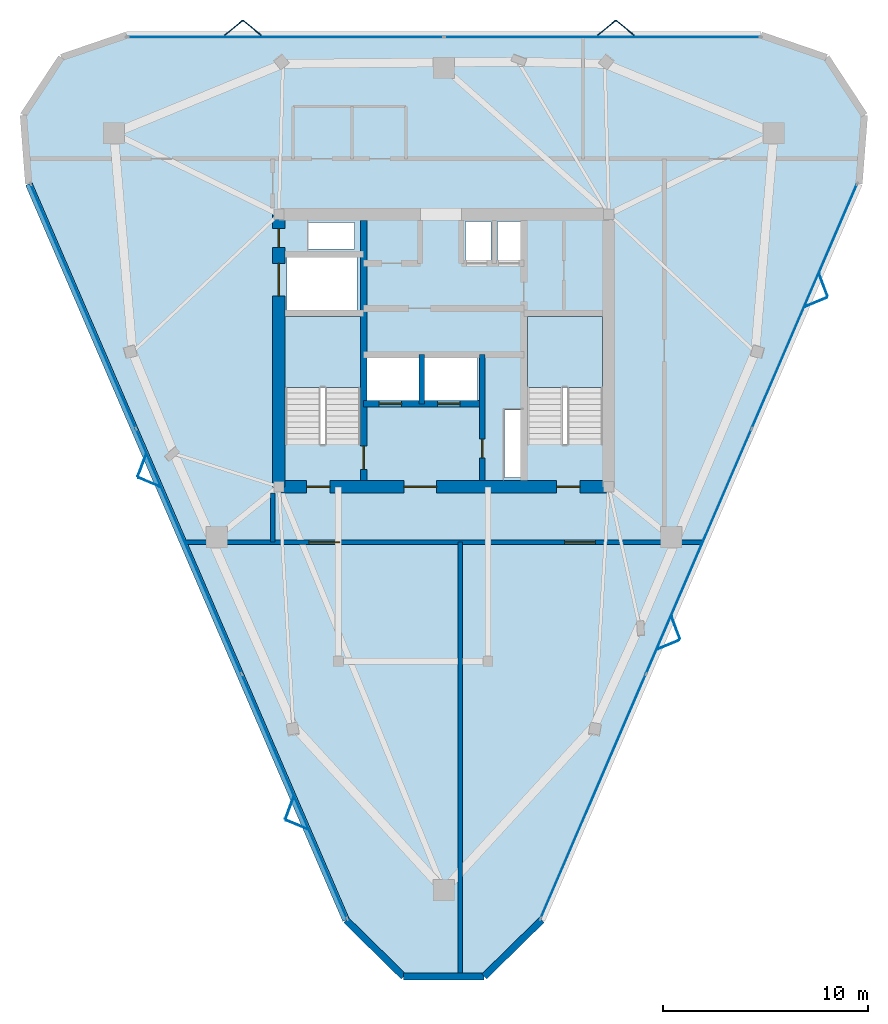
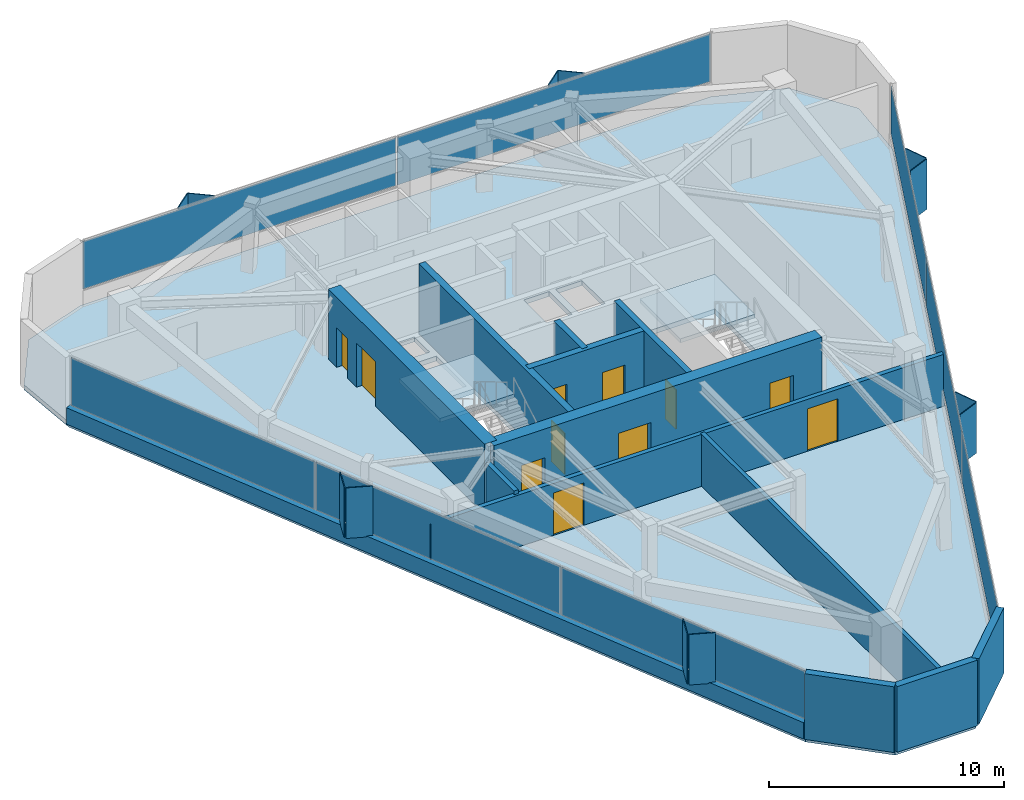
# One storey, part 6 of 9: 20 plates, 13 walls, 11 doors, 3 slabs, 11 openings, 5 elements without a shape of their own.
"""IFC4 building model written with IfcOpenShell, lengths in metres."""

import ifcopenshell
import ifcopenshell.guid

model = None  # the IFC model being written
_history = None  # IfcOwnerHistory: only IFC2X3 demands one
_inside = {}  # id of a spatial element -> (the spatial element, [elements in it])
_under = {}  # id of a project, library or spatial element -> (it, [spatial elements below it])
_declared = {}  # id of a project -> (the project, [libraries it declares])
_typed = {}  # id of a type object -> (the type object, [elements of that type])
_made_of = {}  # id of a material, layer set ... -> (it, [elements and type objects made of it])


def new_model(schema):
    """Start an empty IFC model of exactly this schema.

    Asked for "IFC4X3", IfcOpenShell would pick the latest addendum, in which some entities
    have other attributes; the version numbers below select the first issue.
    IFC2X3 requires an IfcOwnerHistory on every rooted entity: one is made here for all.
    """
    global model, _history
    if schema == "IFC4X3":
        model = ifcopenshell.file(schema_version=(4, 3, 0, 0))
    else:
        model = ifcopenshell.file(schema=schema)
    _inside.clear()
    _under.clear()
    _declared.clear()
    _typed.clear()
    _made_of.clear()
    _history = None
    if model.schema == "IFC2X3":
        org = make("IfcOrganization", Name="unknown")
        user = make(
            "IfcPersonAndOrganization",
            ThePerson=make("IfcPerson", FamilyName="unknown"),
            TheOrganization=org,
        )
        app = make(
            "IfcApplication",
            ApplicationDeveloper=org,
            Version="unknown",
            ApplicationFullName="unknown",
            ApplicationIdentifier="unknown",
        )
        _history = make(
            "IfcOwnerHistory",
            OwningUser=user,
            OwningApplication=app,
            ChangeAction="ADDED",
            CreationDate=0,
        )
    return model


def make(cls, **values):
    """One entity of the class cls with the attributes given. An attribute that is None is left unset."""
    return model.create_entity(
        cls, **{name: value for name, value in values.items() if value is not None}
    )


def rooted(cls, **values):
    """An entity with a GlobalId (a new one), such as an element, a storey or a relation."""
    return make(cls, GlobalId=ifcopenshell.guid.new(), OwnerHistory=_history, **values)


def si_unit(unit_type, name, prefix=None):
    """IfcSIUnit, for example si_unit("LENGTHUNIT", "METRE", prefix="MILLI")."""
    return make("IfcSIUnit", UnitType=unit_type, Prefix=prefix, Name=name)


def assignment(units):
    """IfcUnitAssignment: the units of a project."""
    return None if units is None else make("IfcUnitAssignment", Units=units)


def point(xyz):
    """IfcCartesianPoint."""
    return None if xyz is None else make("IfcCartesianPoint", Coordinates=xyz)


def direction(xyz):
    """IfcDirection."""
    return None if xyz is None else make("IfcDirection", DirectionRatios=xyz)


def frame(location, z_axis=None, x_axis=None):
    """IfcAxis2Placement3D, a coordinate frame: its origin and axes. An axis left out is left unset."""
    return make(
        "IfcAxis2Placement3D",
        Location=point(location),
        Axis=direction(z_axis),
        RefDirection=direction(x_axis),
    )


def frame_2d(location, x_axis=None):
    """IfcAxis2Placement2D, a coordinate frame in the plane: its origin and x axis."""
    return make(
        "IfcAxis2Placement2D", Location=point(location), RefDirection=direction(x_axis)
    )


def origin():
    """The frame at (0, 0, 0) with its axes left unset."""
    return frame((0.0, 0.0, 0.0))


def origin_2d():
    """The frame at (0, 0) in the plane with its x axis left unset."""
    return frame_2d((0.0, 0.0))


def place(relative_to, where):
    """IfcLocalPlacement: puts the frame where relative to a parent placement (None: the world)."""
    return make(
        "IfcLocalPlacement", PlacementRelTo=relative_to, RelativePlacement=where
    )


def context(
    kind, dimensions, precision=None, world=None, true_north=None, identifier=None
):
    """IfcGeometricRepresentationContext, for example the 3D "Model" context."""
    return make(
        "IfcGeometricRepresentationContext",
        ContextIdentifier=identifier,
        ContextType=kind,
        CoordinateSpaceDimension=dimensions,
        Precision=precision,
        WorldCoordinateSystem=world,
        TrueNorth=true_north,
    )


def subcontext(parent, identifier, kind, view, scale=None):
    """IfcGeometricRepresentationSubContext, for example "Body" below "Model"."""
    return make(
        "IfcGeometricRepresentationSubContext",
        ContextIdentifier=identifier,
        ContextType=kind,
        ParentContext=parent,
        TargetScale=scale,
        TargetView=view,
    )


def project(units=None, contexts=None):
    """IfcProject with its units and contexts."""
    return rooted(
        "IfcProject",
        Name="project",
        RepresentationContexts=contexts,
        UnitsInContext=assignment(units),
    )


def spatial(cls, under=None, at=None, **own):
    """A site, building, storey or space (cls), placed at a placement, below another one or the project."""
    s = rooted(cls, ObjectPlacement=at, **own)
    if under is not None:
        _under.setdefault(under.id(), (under, []))[1].append(s)
    return s


def polyline(points):
    """IfcPolyline through the points."""
    return make("IfcPolyline", Points=[point(p) for p in points])


def profile(cls, at=None, kind="AREA", **sizes):
    """A parametric profile (cls). Its sizes go by their IFC names, for example OverallWidth=200.0."""
    return make(cls, ProfileType=kind, Position=at, **sizes)


def rectangle(**sizes):
    """IfcRectangleProfileDef."""
    return profile("IfcRectangleProfileDef", **sizes)


def outline(outer, holes=None, kind="AREA"):
    """IfcArbitraryClosedProfileDef: a profile drawn as a closed curve; with holes, ...WithVoids."""
    if holes is None:
        return make("IfcArbitraryClosedProfileDef", ProfileType=kind, OuterCurve=outer)
    return make(
        "IfcArbitraryProfileDefWithVoids",
        ProfileType=kind,
        OuterCurve=outer,
        InnerCurves=holes,
    )


def extrude(swept, where, along, depth):
    """IfcExtrudedAreaSolid: the profile swept, set in the frame where, extruded along a direction by depth."""
    return make(
        "IfcExtrudedAreaSolid",
        SweptArea=swept,
        Position=where,
        ExtrudedDirection=direction(along),
        Depth=depth,
    )


def shape(context_of_items, identifier, shape_type, items):
    """IfcShapeRepresentation: the items that make up one representation, for example the "Body"."""
    return make(
        "IfcShapeRepresentation",
        ContextOfItems=context_of_items,
        RepresentationIdentifier=identifier,
        RepresentationType=shape_type,
        Items=items,
    )


def material(Name=None, Category=None):
    """IfcMaterial."""
    return make("IfcMaterial", Name=Name, Category=Category)


def layer(
    of_material, thickness, ventilated=None, Name=None, Category=None, Priority=None
):
    """IfcMaterialLayer: one layer of a wall or slab, of a material (None: an air gap)."""
    return make(
        "IfcMaterialLayer",
        Material=of_material,
        LayerThickness=thickness,
        IsVentilated=ventilated,
        Name=Name,
        Category=Category,
        Priority=Priority,
    )


def layer_set(layers, Name=None):
    """IfcMaterialLayerSet."""
    return make("IfcMaterialLayerSet", MaterialLayers=layers, LayerSetName=Name)


def made_of(thing, what):
    """Note that an element or type object is made of a material, layer set ...; save() writes the relation."""
    if what is not None:
        _made_of.setdefault(what.id(), (what, []))[1].append(thing)
    return thing


def type_object(cls, material=None, **own):
    """A type object (cls), such as IfcWallType, which elements share."""
    return made_of(rooted(cls, **own), material)


def element(
    cls,
    number,
    at=None,
    inside=None,
    cuts=None,
    type_object=None,
    material=None,
    context=None,
    identifier="Body",
    shape_type=None,
    held_by="IfcProductDefinitionShape",
    body=None,
    shapes=None,
    **own,
):
    """One element of the class cls, such as IfcWall. Its Tag is "e" and its number.

    at: its placement. inside: the storey or other place that contains it. cuts: it is an
    opening in that element (IfcRelVoidsElement). A single representation is given by context,
    identifier, shape_type and body (its items); several are given by shapes. held_by: the class
    of the entity that holds the representations. save() writes the other relations.
    """
    e = rooted(cls, Tag="e%d" % number, ObjectPlacement=at, **own)
    if body is not None:
        shapes = [shape(context, identifier, shape_type, body)]
    if shapes is not None:
        e.Representation = make(held_by, Representations=shapes)
    if inside is not None:
        _inside.setdefault(inside.id(), (inside, []))[1].append(e)
    if cuts is not None:
        rooted(
            "IfcRelVoidsElement", RelatingBuildingElement=cuts, RelatedOpeningElement=e
        )
    if type_object is not None:
        _typed.setdefault(type_object.id(), (type_object, []))[1].append(e)
    return made_of(e, material)


def fill(opening, filler):
    """IfcRelFillsElement: the door or window that sits in an opening."""
    return rooted(
        "IfcRelFillsElement",
        RelatingOpeningElement=opening,
        RelatedBuildingElement=filler,
    )


def aggregate(whole, parts):
    """IfcRelAggregates: a whole, such as a stair, and the parts it consists of."""
    return rooted("IfcRelAggregates", RelatingObject=whole, RelatedObjects=parts)


def save(model, path):
    """Write the relations noted so far, then the file.

    IfcRelAggregates (storeys below a building ...), IfcRelContainedInSpatialStructure (elements
    in a storey), IfcRelDefinesByType, IfcRelAssociatesMaterial and IfcRelDeclares: one each for
    every whole, place, type object, material and project.
    """
    for whole, parts in _under.values():
        aggregate(whole, parts)
    for where, things in _inside.values():
        rooted(
            "IfcRelContainedInSpatialStructure",
            RelatedElements=things,
            RelatingStructure=where,
        )
    for kind, things in _typed.values():
        rooted("IfcRelDefinesByType", RelatedObjects=things, RelatingType=kind)
    for what, things in _made_of.values():
        rooted("IfcRelAssociatesMaterial", RelatedObjects=things, RelatingMaterial=what)
    for by, libraries in _declared.values():
        rooted("IfcRelDeclares", RelatingContext=by, RelatedDefinitions=libraries)
    model.write(path)


model = new_model("IFC4")

# Units and contexts
model_context = context("Model", 3, precision=1e-05, world=origin(), true_north=direction((0.0, 1.0)))
body_context = subcontext(model_context, "Body", "Model", "MODEL_VIEW")
ifc_project = project(units=[si_unit("LENGTHUNIT", "METRE"), si_unit("AREAUNIT", "SQUARE_METRE"), si_unit("VOLUMEUNIT", "CUBIC_METRE"), si_unit("PLANEANGLEUNIT", "RADIAN"), si_unit("MASSUNIT", "GRAM", prefix="KILO")], contexts=[model_context])

# Site, building, storey
site_placement = place(None, origin())
site = spatial("IfcSite", under=ifc_project, at=site_placement, CompositionType="ELEMENT")
building_placement = place(site_placement, origin())
building = spatial("IfcBuilding", under=site, at=building_placement, Name="Talyreon Biosciences Tower", CompositionType="ELEMENT")
storey_placement = place(building_placement, frame((0.0, 0.0, 309.35009765625)))
storey = spatial("IfcBuildingStorey", under=building, at=storey_placement, Name="L82", CompositionType="ELEMENT", Elevation=309.35009765625)

# Curtain wall, plates
ifc_material_1 = material(Name="Thermally broken aluminium and low-E glazing", Category="aluminium")
ifc_layer_1 = layer(ifc_material_1, 0.175048828125)
ifc_layer_set_1 = layer_set([ifc_layer_1], Name="Thermally broken aluminium and low-E glazing")
curtain_wall_type = type_object("IfcCurtainWallType", Name="CurtainWall_Zone5CompLab", PredefinedType="NOTDEFINED", material=ifc_layer_set_1)
curtain_wall_1_placement = place(storey_placement, origin())
curtain_wall_1 = element("IfcCurtainWall", 1, at=curtain_wall_1_placement, inside=storey, type_object=curtain_wall_type, Name="L82 Unitised Curtain Wall FCW-L82-00", PredefinedType="NOTDEFINED")
ifc_material_2 = material(Name="Triple-silver low-E insulated glazing", Category="glass")
ifc_layer_2 = layer(ifc_material_2, 0.031982421875)
ifc_layer_set_2 = layer_set([ifc_layer_2], Name="Triple-silver low-E insulated glazing")
plate_type_1 = type_object("IfcPlateType", Name="CWGlazingPanel_32", PredefinedType="CURTAIN_PANEL", material=ifc_layer_set_2)
plate_1_placement = place(storey_placement, frame((58.712158203125, 46.241943359375, 0.874755859375), z_axis=(0.0, 0.0, 1.0), x_axis=(-0.395738333444, 0.918363311246, 0.0)))
plate_1 = element("IfcPlate", 2, at=plate_1_placement, type_object=plate_type_1, Name="CW6 panel 1.1", PredefinedType="CURTAIN_PANEL", context=body_context, shape_type="SweptSolid", body=[
    extrude(rectangle(XDim=12.938720703125, YDim=0.031982421875, at=origin_2d()), origin(), (0.0, 0.0, 1.0), 2.47509765625),
])
plate_2_placement = place(storey_placement, frame((53.5595703125, 58.19921875, 0.874755859375), z_axis=(0.0, 0.0, 1.0), x_axis=(-0.395738333444, 0.918363311246, 0.0)))
plate_2 = element("IfcPlate", 3, at=plate_2_placement, type_object=plate_type_1, Name="CW6 panel 2.1", PredefinedType="CURTAIN_PANEL", context=body_context, shape_type="SweptSolid", body=[
    extrude(rectangle(XDim=12.97119140625, YDim=0.031982421875, at=origin_2d()), origin(), (0.0, 0.0, 1.0), 2.47509765625),
])
plate_3_placement = place(storey_placement, frame((48.406982421875, 70.15625, 0.874755859375), z_axis=(0.0, 0.0, 1.0), x_axis=(-0.395738333444, 0.918363311246, 0.0)))
plate_3 = element("IfcPlate", 4, at=plate_3_placement, type_object=plate_type_1, Name="CW6 panel 3.1", PredefinedType="CURTAIN_PANEL", context=body_context, shape_type="SweptSolid", body=[
    extrude(rectangle(XDim=12.938720703125, YDim=0.031982421875, at=origin_2d()), origin(), (0.0, 0.0, 1.0), 2.47509765625),
])
aggregate(curtain_wall_1, [plate_1, plate_2, plate_3])

curtain_wall_2_placement = place(storey_placement, origin())
curtain_wall_2 = element("IfcCurtainWall", 5, at=curtain_wall_2_placement, inside=storey, type_object=curtain_wall_type, Name="L82 Unitised Curtain Wall FCW-L82-04", PredefinedType="NOTDEFINED")
plate_4_placement = place(storey_placement, frame((58.27783203125, 83.303466796875, 0.874755859375), z_axis=(0.0, 0.0, 1.0), x_axis=(1.0, 0.0, 0.0)))
plate_4 = element("IfcPlate", 6, at=plate_4_placement, type_object=plate_type_1, Name="CW6 panel 1.1", PredefinedType="CURTAIN_PANEL", context=body_context, shape_type="SweptSolid", body=[
    extrude(rectangle(XDim=15.37939453125, YDim=0.031982421875, at=origin_2d()), origin(), (0.0, 0.0, 1.0), 2.47509765625),
])
plate_5_placement = place(storey_placement, frame((73.72216796875, 83.303466796875, 0.874755859375), z_axis=(0.0, 0.0, 1.0), x_axis=(1.0, 0.0, 0.0)))
plate_5 = element("IfcPlate", 7, at=plate_5_placement, type_object=plate_type_1, Name="CW6 panel 2.1", PredefinedType="CURTAIN_PANEL", context=body_context, shape_type="SweptSolid", body=[
    extrude(rectangle(XDim=15.37939453125, YDim=0.031982421875, at=origin_2d()), origin(), (0.0, 0.0, 1.0), 2.47509765625),
])
aggregate(curtain_wall_2, [plate_4, plate_5])

curtain_wall_3_placement = place(storey_placement, origin())
curtain_wall_3 = element("IfcCurtainWall", 8, at=curtain_wall_3_placement, inside=storey, type_object=curtain_wall_type, Name="L82 Unitised Curtain Wall FCW-L82-08", PredefinedType="NOTDEFINED")
plate_6_placement = place(storey_placement, frame((83.593017578125, 70.15625, 0.874755859375), z_axis=(0.0, 0.0, 1.0), x_axis=(-0.395738333444, -0.918363311246, 0.0)))
plate_6 = element("IfcPlate", 9, at=plate_6_placement, type_object=plate_type_1, Name="CW6 panel 1.1", PredefinedType="CURTAIN_PANEL", context=body_context, shape_type="SweptSolid", body=[
    extrude(rectangle(XDim=12.938720703125, YDim=0.031982421875, at=origin_2d()), origin(), (0.0, 0.0, 1.0), 2.47509765625),
])
plate_7_placement = place(storey_placement, frame((78.4404296875, 58.19921875, 0.874755859375), z_axis=(0.0, 0.0, 1.0), x_axis=(-0.395738333444, -0.918363311246, 0.0)))
plate_7 = element("IfcPlate", 10, at=plate_7_placement, type_object=plate_type_1, Name="CW6 panel 2.1", PredefinedType="CURTAIN_PANEL", context=body_context, shape_type="SweptSolid", body=[
    extrude(rectangle(XDim=12.97119140625, YDim=0.031982421875, at=origin_2d()), origin(), (0.0, 0.0, 1.0), 2.47509765625),
])
plate_8_placement = place(storey_placement, frame((73.287841796875, 46.241943359375, 0.874755859375), z_axis=(0.0, 0.0, 1.0), x_axis=(-0.395738333444, -0.918363311246, 0.0)))
plate_8 = element("IfcPlate", 11, at=plate_8_placement, type_object=plate_type_1, Name="CW6 panel 3.1", PredefinedType="CURTAIN_PANEL", context=body_context, shape_type="SweptSolid", body=[
    extrude(rectangle(XDim=12.938720703125, YDim=0.031982421875, at=origin_2d()), origin(), (0.0, 0.0, 1.0), 2.47509765625),
])
aggregate(curtain_wall_3, [plate_6, plate_7, plate_8])

# Slab
ifc_material_3 = material(Name="Concrete C40/50", Category="concrete")
ifc_layer_3 = layer(ifc_material_3, 0.25)
ifc_layer_set_3 = layer_set([ifc_layer_3], Name="Concrete C40/50")
slab_type_1 = type_object("IfcSlabType", Name="DryLabFloorSlab_250", PredefinedType="FLOOR", material=ifc_layer_set_3)
slab_1_placement = place(storey_placement, frame((0.0, 0.0, -0.25)))
element("IfcSlab", 12, at=slab_1_placement, inside=storey, type_object=slab_type_1, Name="L82 Structural Floor Slab", PredefinedType="FLOOR", context=body_context, shape_type="SweptSolid", body=[
    extrude(outline(polyline([(61.224609375, 40.20947265625), (45.74755859375, 76.12548828125), (45.48779296875, 79.481689453125), (47.338134765625, 82.2939453125), (50.523193359375, 83.38330078125), (81.476806640625, 83.38330078125), (84.661865234375, 82.2939453125), (86.51220703125, 79.481689453125), (86.25244140625, 76.12548828125), (70.775390625, 40.20947265625), (67.96728515625, 37.45361328125), (64.03271484375, 37.45361328125), (61.224609375, 40.20947265625)]), holes=[polyline([(69.820068359375, 65.10009765625), (69.820068359375, 61.800048828125), (68.9599609375, 61.800048828125), (68.9599609375, 65.10009765625), (69.820068359375, 65.10009765625)]), polyline([(61.929931640625, 69.64990234375), (61.929931640625, 63.407958984375), (58.25, 63.407958984375), (58.25, 69.64990234375), (61.929931640625, 69.64990234375)]), polyline([(73.75, 69.64990234375), (73.75, 63.407958984375), (70.070068359375, 63.407958984375), (70.070068359375, 69.64990234375), (73.75, 69.64990234375)]), polyline([(64.800048828125, 67.64990234375), (64.800048828125, 65.550048828125), (62.199951171875, 65.550048828125), (62.199951171875, 67.64990234375), (64.800048828125, 67.64990234375)]), polyline([(67.64990234375, 67.64990234375), (67.64990234375, 65.550048828125), (65.050048828125, 65.550048828125), (65.050048828125, 67.64990234375), (67.64990234375, 67.64990234375)]), polyline([(61.75, 72.550048828125), (61.75, 69.97998046875), (58.35009765625, 69.97998046875), (58.35009765625, 72.550048828125), (61.75, 72.550048828125)]), polyline([(68.300048828125, 74.300048828125), (68.300048828125, 72.35009765625), (67.050048828125, 72.35009765625), (67.050048828125, 74.300048828125), (68.300048828125, 74.300048828125)]), polyline([(69.919921875, 72.35009765625), (68.6201171875, 72.35009765625), (68.6201171875, 74.300048828125), (69.919921875, 74.300048828125), (69.919921875, 72.35009765625)]), polyline([(61.64990234375, 72.9599609375), (59.39990234375, 72.9599609375), (59.39990234375, 74.25), (61.64990234375, 74.25), (61.64990234375, 72.9599609375)])]), origin(), (0.0, 0.0, 1.0), 0.25),
])

# Plates
ifc_material_4 = material(Name="Ivory GFRC sunshade panel", Category="concrete")
ifc_layer_4 = layer(ifc_material_4, 0.044921875)
ifc_layer_set_4 = layer_set([ifc_layer_4], Name="Ivory GFRC sunshade panel")
plate_type_2 = type_object("IfcPlateType", Name="FoldedVSunshade_NorthFace_SUNSHADE", PredefinedType="USERDEFINED", material=ifc_layer_set_4)
for number, where, z_axis, x_axis, name in (
    (13, (55.7431640625, 83.743408203125, 0.789794921875), (0.0, 0.0, 1.0), (0.771624583388, 0.636078220278, 0.0), "L82 Folded V-Sunshade Panel 04.01L"),
    (14, (56.64306640625, 83.743408203125, 0.789794921875), (0.0, 0.0, 1.0), (0.771624583388, -0.636078220278, 0.0), "L82 Folded V-Sunshade Panel 04.01R"),
    (15, (73.943115234375, 83.743408203125, 0.789794921875), (0.0, 0.0, 1.0), (0.771624583388, 0.636078220278, 0.0), "L82 Folded V-Sunshade Panel 04.02L"),
    (16, (74.843017578125, 83.743408203125, 0.789794921875), (0.0, 0.0, 1.0), (0.771624583388, -0.636078220278, 0.0), "L82 Folded V-Sunshade Panel 04.02R"),
):
    element("IfcPlate", number, at=place(storey_placement, frame(where, z_axis=z_axis, x_axis=x_axis)), inside=storey, type_object=plate_type_2, Name=name, ObjectType="SUNSHADE", PredefinedType="USERDEFINED", context=body_context, shape_type="SweptSolid", body=[
        extrude(rectangle(XDim=1.14990234375, YDim=0.044921875, at=origin_2d()), origin(), (0.0, 0.0, 1.0), 2.625),
    ])
ifc_layer_5 = layer(ifc_material_4, 0.044921875)
ifc_layer_set_5 = layer_set([ifc_layer_5], Name="Ivory GFRC sunshade panel")
plate_type_3 = type_object("IfcPlateType", Name="FoldedVSunshade_SunFace_SUNSHADE", PredefinedType="USERDEFINED", material=ifc_layer_set_5)
for number, where, z_axis, x_axis, name in (
    (17, (58.828125, 44.86083984375, 0.789794921875), (0.0, 0.0, 1.0), (-0.922618893195, 0.385712817936, 0.0), "L82 Folded V-Sunshade Panel 00.01L"),
    (18, (58.471923828125, 45.687255859375, 0.789794921875), (0.0, 0.0, 1.0), (0.353278917088, 0.935518041911, 0.0), "L82 Folded V-Sunshade Panel 00.01R"),
    (19, (51.625732421875, 61.574951171875, 0.789794921875), (0.0, 0.0, 1.0), (-0.922618893195, 0.385712817936, 0.0), "L82 Folded V-Sunshade Panel 00.02L"),
    (20, (51.26953125, 62.401611328125, 0.789794921875), (0.0, 0.0, 1.0), (0.353278917088, 0.935518041911, 0.0), "L82 Folded V-Sunshade Panel 00.02R"),
    (21, (84.517333984375, 71.189208984375, 0.789794921875), (0.0, 0.0, 1.0), (0.353278917088, -0.935518041911, 0.0), "L82 Folded V-Sunshade Panel 08.01L"),
    (22, (84.1611328125, 70.36279296875, 0.789794921875), (0.0, 0.0, 1.0), (-0.922618893195, -0.385712817936, 0.0), "L82 Folded V-Sunshade Panel 08.01R"),
    (23, (77.314697265625, 54.47509765625, 0.789794921875), (0.0, 0.0, 1.0), (0.353278917088, -0.935518041911, 0.0), "L82 Folded V-Sunshade Panel 08.02L"),
    (24, (76.958740234375, 53.6484375, 0.789794921875), (0.0, 0.0, 1.0), (-0.922618893195, -0.385712817936, 0.0), "L82 Folded V-Sunshade Panel 08.02R"),
):
    element("IfcPlate", number, at=place(storey_placement, frame(where, z_axis=z_axis, x_axis=x_axis)), inside=storey, type_object=plate_type_3, Name=name, ObjectType="SUNSHADE", PredefinedType="USERDEFINED", context=body_context, shape_type="SweptSolid", body=[
        extrude(rectangle(XDim=1.14990234375, YDim=0.044921875, at=origin_2d()), origin(), (0.0, 0.0, 1.0), 2.625),
    ])

# Stair, slab
stair_type = type_object("IfcStairType", Name="DoglegEscapeStair_3650", PredefinedType="HALF_TURN_STAIR", material=ifc_material_3)
stair_1_placement = place(storey_placement, origin())
stair_1 = element("IfcStair", 25, at=stair_1_placement, inside=storey, type_object=stair_type, Name="L82 Core Escape Stair 1", PredefinedType="HALF_TURN_STAIR")
ifc_layer_6 = layer(ifc_material_3, 0.199951171875)
ifc_layer_set_6 = layer_set([ifc_layer_6], Name="Concrete C40/50")
slab_type_2 = type_object("IfcSlabType", Name="StairLandingSlab_200", PredefinedType="LANDING", material=ifc_layer_set_6)
slab_2_placement = place(storey_placement, frame((0.0, 0.0, 1.625)))
slab_2 = element("IfcSlab", 26, at=slab_2_placement, type_object=slab_type_2, Name="ST-1 landing 1", PredefinedType="LANDING", context=body_context, shape_type="SweptSolid", body=[
    extrude(outline(polyline([(61.929931640625, 66.199951171875), (61.929931640625, 69.64990234375), (58.25, 69.64990234375), (58.25, 66.199951171875), (61.929931640625, 66.199951171875)])), origin(), (0.0, 0.0, 1.0), 0.199951171875),
])
aggregate(stair_1, [slab_2])

stair_2_placement = place(storey_placement, origin())
stair_2 = element("IfcStair", 27, at=stair_2_placement, inside=storey, type_object=stair_type, Name="L82 Core Escape Stair 2", PredefinedType="HALF_TURN_STAIR")
slab_3_placement = place(storey_placement, frame((0.0, 0.0, 1.625)))
slab_3 = element("IfcSlab", 28, at=slab_3_placement, type_object=slab_type_2, Name="ST-2 landing 1", PredefinedType="LANDING", context=body_context, shape_type="SweptSolid", body=[
    extrude(outline(polyline([(73.75, 66.199951171875), (73.75, 69.64990234375), (70.070068359375, 69.64990234375), (70.070068359375, 66.199951171875), (73.75, 66.199951171875)])), origin(), (0.0, 0.0, 1.0), 0.199951171875),
])
aggregate(stair_2, [slab_3])

# Walls
ifc_material_5 = material(Name="Gypsum fireboard acoustic stud", Category="gypsum")
ifc_layer_7 = layer(ifc_material_5, 0.199951171875)
ifc_layer_set_7 = layer_set([ifc_layer_7], Name="Gypsum fireboard acoustic stud")
wall_type_1 = type_object("IfcWallType", Name="ChemControlPartition_200", PredefinedType="PARTITIONING", material=ifc_layer_set_7)
wall_1_placement = place(storey_placement, frame((66.800048828125, 37.538818359375, 0.0), z_axis=(0.0, 0.0, 1.0), x_axis=(0.0, 1.0, 0.0)))
element("IfcWall", 29, at=wall_1_placement, inside=storey, type_object=wall_type_1, Name="L82 Interior Wall IW-L82-SDIV1", PredefinedType="PARTITIONING", context=body_context, shape_type="SweptSolid", body=[
    extrude(rectangle(XDim=21.111083984375, YDim=0.199951171875, at=frame_2d((10.5556640625, 0.0))), origin(), (0.0, 0.0, 1.0), 2.69482421875),
])
ifc_material_6 = material(Name="Concrete C50/60", Category="concrete")
ifc_layer_8 = layer(ifc_material_6, 0.280029296875)
ifc_layer_set_8 = layer_set([ifc_layer_8], Name="Concrete C50/60")
wall_type_2 = type_object("IfcWallType", Name="CoreShearWall_280", PredefinedType="SHEAR", material=ifc_layer_set_8)
wall_2_placement = place(storey_placement, frame((64.919921875, 65.39990234375, 0.0), z_axis=(0.0, 0.0, 1.0), x_axis=(0.0, 1.0, 0.0)))
element("IfcWall", 30, at=wall_2_placement, inside=storey, type_object=wall_type_2, Name="L82 Core Shaft Wall SWSHD1", PredefinedType="SHEAR", context=body_context, shape_type="SweptSolid", body=[
    extrude(rectangle(XDim=2.400146484375, YDim=0.280029296875, at=frame_2d((1.2001953125, 0.0))), origin(), (0.0, 0.0, 1.0), 3.64990234375),
])

# Wall, opening, door
wall_3_placement = place(storey_placement, frame((67.8798828125, 61.64990234375, 0.0), z_axis=(0.0, 0.0, 1.0), x_axis=(0.0, 1.0, 0.0)))
wall_3 = element("IfcWall", 31, at=wall_3_placement, inside=storey, type_object=wall_type_2, Name="L82 Core Shaft Wall SWFFE", PredefinedType="SHEAR", context=body_context, shape_type="SweptSolid", body=[
    extrude(rectangle(XDim=6.150146484375, YDim=0.280029296875, at=frame_2d((3.0751953125, 0.0))), origin(), (0.0, 0.0, 1.0), 3.64990234375),
])
opening_1_placement = place(wall_3_placement, frame((1.10009765625, 0.0, 0.0)))
opening_1 = element("IfcOpeningElement", 32, at=opening_1_placement, cuts=wall_3, Name="Opening DR-L82-RSE", PredefinedType="OPENING", context=body_context, shape_type="SweptSolid", body=[
    extrude(rectangle(XDim=0.919921875, YDim=2.050048828125, at=frame_2d((0.4599609375, 1.02490234375))), frame((0.0, 0.14990234375, 0.0), z_axis=(0.0, -1.0, 0.0), x_axis=(1.0, 0.0, 0.0)), (0.0, 0.0, 1.0), 0.300048828125),
])
ifc_material_7 = material(Name="Painted steel fire-rated riser door", Category="steel")
door_type_1 = type_object("IfcDoorType", Name="RiserPlantAccessDoor_920x2050", OperationType="NOTDEFINED", PredefinedType="DOOR", material=ifc_material_7)
door_1_placement = place(opening_1_placement, origin())
door_1 = element("IfcDoor", 33, at=door_1_placement, inside=storey, type_object=door_type_1, Name="L82 Core Door DR-L82-RSE", OperationType="SINGLE_SWING_RIGHT", OverallHeight=2.050048828125, OverallWidth=0.919921875, PredefinedType="DOOR", context=body_context, shape_type="SweptSolid", body=[
    extrude(rectangle(XDim=0.919921875, YDim=2.050048828125, at=frame_2d((0.4599609375, 1.02490234375))), frame((0.0, 0.02490234375, 0.0), z_axis=(0.0, -1.0, 0.0), x_axis=(1.0, 0.0, 0.0)), (0.0, 0.0, 1.0), 0.050048828125),
])
fill(opening_1, door_1)

ifc_layer_9 = layer(ifc_material_6, 0.320068359375)
ifc_layer_set_9 = layer_set([ifc_layer_9], Name="Concrete C50/60")
wall_type_3 = type_object("IfcWallType", Name="CoreShearWall_320", PredefinedType="SHEAR", material=ifc_layer_set_9)
wall_4_placement = place(storey_placement, frame((62.090087890625, 61.64990234375, 0.0), z_axis=(0.0, 0.0, 1.0), x_axis=(0.0, 1.0, 0.0)))
wall_4 = element("IfcWall", 34, at=wall_4_placement, inside=storey, type_object=wall_type_3, Name="L82 Core Shaft Wall SW1E", PredefinedType="SHEAR", context=body_context, shape_type="SweptSolid", body=[
    extrude(rectangle(XDim=12.7001953125, YDim=0.320068359375, at=frame_2d((6.35009765625, 0.0))), origin(), (0.0, 0.0, 1.0), 3.64990234375),
])
opening_2_placement = place(wall_4_placement, frame((0.550048828125, 0.0, 0.0)))
opening_2 = element("IfcOpeningElement", 35, at=opening_2_placement, cuts=wall_4, Name="Opening DR-L82-FF-ST1", PredefinedType="OPENING", context=body_context, shape_type="SweptSolid", body=[
    extrude(rectangle(XDim=1.14990234375, YDim=2.14990234375, at=frame_2d((0.574951171875, 1.074951171875))), frame((0.0, 0.169921875, 0.0), z_axis=(0.0, -1.0, 0.0), x_axis=(1.0, 0.0, 0.0)), (0.0, 0.0, 1.0), 0.340087890625),
])
ifc_material_8 = material(Name="Painted steel fire door", Category="steel")
door_type_2 = type_object("IfcDoorType", Name="StairShaftFireDoor_1150x2150", OperationType="NOTDEFINED", PredefinedType="DOOR", material=ifc_material_8)
door_2_placement = place(opening_2_placement, origin())
door_2 = element("IfcDoor", 36, at=door_2_placement, inside=storey, type_object=door_type_2, Name="L82 Core Door DR-L82-FF-ST1", OperationType="SINGLE_SWING_LEFT", OverallHeight=2.14990234375, OverallWidth=1.14990234375, PredefinedType="DOOR", context=body_context, shape_type="SweptSolid", body=[
    extrude(rectangle(XDim=1.14990234375, YDim=2.14990234375, at=frame_2d((0.574951171875, 1.074951171875))), frame((0.0, 0.02490234375, 0.0), z_axis=(0.0, -1.0, 0.0), x_axis=(1.0, 0.0, 0.0)), (0.0, 0.0, 1.0), 0.050048828125),
])
fill(opening_2, door_2)

# Wall, openings, doors
wall_5_placement = place(storey_placement, frame((62.090087890625, 65.39990234375, 0.0), z_axis=(0.0, 0.0, 1.0), x_axis=(1.0, 0.0, 0.0)))
wall_5 = element("IfcWall", 37, at=wall_5_placement, inside=storey, type_object=wall_type_3, Name="L82 Core Shaft Wall SWFFN", PredefinedType="SHEAR", context=body_context, shape_type="SweptSolid", body=[
    extrude(rectangle(XDim=5.789794921875, YDim=0.320068359375, at=frame_2d((2.89501953125, 0.0))), origin(), (0.0, 0.0, 1.0), 3.64990234375),
])
opening_3_placement = place(wall_5_placement, frame((0.75, 0.0, 0.0)))
opening_3 = element("IfcOpeningElement", 38, at=opening_3_placement, cuts=wall_5, Name="Opening LD-L82-FL1", PredefinedType="OPENING", context=body_context, shape_type="SweptSolid", body=[
    extrude(rectangle(XDim=1.10009765625, YDim=2.199951171875, at=frame_2d((0.550048828125, 1.10009765625))), frame((0.0, 0.169921875, 0.0), z_axis=(0.0, -1.0, 0.0), x_axis=(1.0, 0.0, 0.0)), (0.0, 0.0, 1.0), 0.340087890625),
])
opening_4_placement = place(wall_5_placement, frame((3.60009765625, 0.0, 0.0)))
opening_4 = element("IfcOpeningElement", 39, at=opening_4_placement, cuts=wall_5, Name="Opening LD-L82-FL2", PredefinedType="OPENING", context=body_context, shape_type="SweptSolid", body=[
    extrude(rectangle(XDim=1.10009765625, YDim=2.199951171875, at=frame_2d((0.550048828125, 1.10009765625))), frame((0.0, 0.169921875, 0.0), z_axis=(0.0, -1.0, 0.0), x_axis=(1.0, 0.0, 0.0)), (0.0, 0.0, 1.0), 0.340087890625),
])
ifc_material_9 = material(Name="Brushed stainless-steel lift landing door", Category="steel")
door_type_3 = type_object("IfcDoorType", Name="LiftSlidingLandingDoor_1100x2200", OperationType="SLIDING_TO_LEFT", PredefinedType="DOOR", material=ifc_material_9)
door_3_placement = place(opening_3_placement, origin())
door_3 = element("IfcDoor", 40, at=door_3_placement, inside=storey, type_object=door_type_3, Name="L82 Core Door LD-L82-FL1", OperationType="SLIDING_TO_LEFT", OverallHeight=2.199951171875, OverallWidth=1.10009765625, PredefinedType="DOOR", context=body_context, shape_type="SweptSolid", body=[
    extrude(rectangle(XDim=1.10009765625, YDim=2.199951171875, at=frame_2d((0.550048828125, 1.10009765625))), frame((0.0, 0.02490234375, 0.0), z_axis=(0.0, -1.0, 0.0), x_axis=(1.0, 0.0, 0.0)), (0.0, 0.0, 1.0), 0.050048828125),
])
fill(opening_3, door_3)
door_4_placement = place(opening_4_placement, origin())
door_4 = element("IfcDoor", 41, at=door_4_placement, inside=storey, type_object=door_type_3, Name="L82 Core Door LD-L82-FL2", OperationType="SLIDING_TO_LEFT", OverallHeight=2.199951171875, OverallWidth=1.10009765625, PredefinedType="DOOR", context=body_context, shape_type="SweptSolid", body=[
    extrude(rectangle(XDim=1.10009765625, YDim=2.199951171875, at=frame_2d((0.550048828125, 1.10009765625))), frame((0.0, 0.02490234375, 0.0), z_axis=(0.0, -1.0, 0.0), x_axis=(1.0, 0.0, 0.0)), (0.0, 0.0, 1.0), 0.050048828125),
])
fill(opening_4, door_4)

ifc_layer_10 = layer(ifc_material_6, 0.60009765625)
ifc_layer_set_10 = layer_set([ifc_layer_10], Name="Concrete C50/60")
wall_type_4 = type_object("IfcWallType", Name="CoreShearWall_600", PredefinedType="SHEAR", material=ifc_layer_set_10)
wall_6_placement = place(storey_placement, frame((57.949951171875, 61.35009765625, 0.0), z_axis=(0.0, 0.0, 1.0), x_axis=(1.0, 0.0, 0.0)))
wall_6 = element("IfcWall", 42, at=wall_6_placement, inside=storey, type_object=wall_type_4, Name="L82 Core Shear Wall S", PredefinedType="SHEAR", context=body_context, shape_type="SweptSolid", body=[
    extrude(rectangle(XDim=16.10009765625, YDim=0.60009765625, at=frame_2d((8.050048828125, 0.0))), origin(), (0.0, 0.0, 1.0), 3.64990234375),
])
opening_5_placement = place(wall_6_placement, frame((1.35009765625, 0.0, 0.0)))
opening_5 = element("IfcOpeningElement", 43, at=opening_5_placement, cuts=wall_6, Name="Opening DR-L82-ST1", PredefinedType="OPENING", context=body_context, shape_type="SweptSolid", body=[
    extrude(rectangle(XDim=1.14990234375, YDim=2.14990234375, at=frame_2d((0.574951171875, 1.074951171875))), frame((0.0, 0.31005859375, 0.0), z_axis=(0.0, -1.0, 0.0), x_axis=(1.0, 0.0, 0.0)), (0.0, 0.0, 1.0), 0.6201171875),
])
opening_6_placement = place(wall_6_placement, frame((6.10009765625, 0.0, 0.0)))
opening_6 = element("IfcOpeningElement", 44, at=opening_6_placement, cuts=wall_6, Name="Opening DR-L82-FFL", PredefinedType="OPENING", context=body_context, shape_type="SweptSolid", body=[
    extrude(rectangle(XDim=1.60009765625, YDim=2.14990234375, at=frame_2d((0.800048828125, 1.074951171875))), frame((0.0, 0.31005859375, 0.0), z_axis=(0.0, -1.0, 0.0), x_axis=(1.0, 0.0, 0.0)), (0.0, 0.0, 1.0), 0.6201171875),
])
opening_7_placement = place(wall_6_placement, frame((13.550048828125, 0.0, 0.0)))
opening_7 = element("IfcOpeningElement", 45, at=opening_7_placement, cuts=wall_6, Name="Opening DR-L82-ST2", PredefinedType="OPENING", context=body_context, shape_type="SweptSolid", body=[
    extrude(rectangle(XDim=1.14990234375, YDim=2.14990234375, at=frame_2d((0.574951171875, 1.074951171875))), frame((0.0, 0.31005859375, 0.0), z_axis=(0.0, -1.0, 0.0), x_axis=(1.0, 0.0, 0.0)), (0.0, 0.0, 1.0), 0.6201171875),
])
ifc_material_10 = material(Name="Painted steel smoke-seal fire door", Category="steel")
door_type_4 = type_object("IfcDoorType", Name="FirefightingLobbyDoubleDoor_1600x2150", OperationType="DOUBLE_DOOR_SINGLE_SWING", PredefinedType="DOOR", material=ifc_material_10)
door_5_placement = place(opening_6_placement, origin())
door_5 = element("IfcDoor", 46, at=door_5_placement, inside=storey, type_object=door_type_4, Name="L82 Core Door DR-L82-FFL", OperationType="DOUBLE_DOOR_SINGLE_SWING", OverallHeight=2.14990234375, OverallWidth=1.60009765625, PredefinedType="DOOR", context=body_context, shape_type="SweptSolid", body=[
    extrude(rectangle(XDim=1.60009765625, YDim=2.14990234375, at=frame_2d((0.800048828125, 1.074951171875))), frame((0.0, 0.02490234375, 0.0), z_axis=(0.0, -1.0, 0.0), x_axis=(1.0, 0.0, 0.0)), (0.0, 0.0, 1.0), 0.050048828125),
])
fill(opening_6, door_5)
door_6_placement = place(opening_5_placement, origin())
door_6 = element("IfcDoor", 47, at=door_6_placement, inside=storey, type_object=door_type_2, Name="L82 Core Door DR-L82-ST1", OperationType="SINGLE_SWING_LEFT", OverallHeight=2.14990234375, OverallWidth=1.14990234375, PredefinedType="DOOR", context=body_context, shape_type="SweptSolid", body=[
    extrude(rectangle(XDim=1.14990234375, YDim=2.14990234375, at=frame_2d((0.574951171875, 1.074951171875))), frame((0.0, 0.02490234375, 0.0), z_axis=(0.0, -1.0, 0.0), x_axis=(1.0, 0.0, 0.0)), (0.0, 0.0, 1.0), 0.050048828125),
])
fill(opening_5, door_6)
door_7_placement = place(opening_7_placement, origin())
door_7 = element("IfcDoor", 48, at=door_7_placement, inside=storey, type_object=door_type_2, Name="L82 Core Door DR-L82-ST2", OperationType="SINGLE_SWING_RIGHT", OverallHeight=2.14990234375, OverallWidth=1.14990234375, PredefinedType="DOOR", context=body_context, shape_type="SweptSolid", body=[
    extrude(rectangle(XDim=1.14990234375, YDim=2.14990234375, at=frame_2d((0.574951171875, 1.074951171875))), frame((0.0, 0.02490234375, 0.0), z_axis=(0.0, -1.0, 0.0), x_axis=(1.0, 0.0, 0.0)), (0.0, 0.0, 1.0), 0.050048828125),
])
fill(opening_7, door_7)

wall_7_placement = place(storey_placement, frame((57.949951171875, 74.64990234375, 0.0), z_axis=(0.0, 0.0, 1.0), x_axis=(0.0, -1.0, 0.0)))
wall_7 = element("IfcWall", 49, at=wall_7_placement, inside=storey, type_object=wall_type_4, Name="L82 Core Shear Wall W", PredefinedType="SHEAR", context=body_context, shape_type="SweptSolid", body=[
    extrude(rectangle(XDim=13.2998046875, YDim=0.60009765625, at=frame_2d((6.64990234375, 0.0))), origin(), (0.0, 0.0, 1.0), 3.64990234375),
])
opening_8_placement = place(wall_7_placement, frame((0.699951171875, 0.0, 0.0)))
opening_8 = element("IfcOpeningElement", 50, at=opening_8_placement, cuts=wall_7, Name="Opening DR-L82-RSW", PredefinedType="OPENING", context=body_context, shape_type="SweptSolid", body=[
    extrude(rectangle(XDim=0.919921875, YDim=2.050048828125, at=frame_2d((0.4599609375, 1.02490234375))), frame((0.0, 0.31005859375, 0.0), z_axis=(0.0, -1.0, 0.0), x_axis=(1.0, 0.0, 0.0)), (0.0, 0.0, 1.0), 0.6201171875),
])
opening_9_placement = place(wall_7_placement, frame((2.39990234375, 0.0, 0.0)))
opening_9 = element("IfcOpeningElement", 51, at=opening_9_placement, cuts=wall_7, Name="Opening LD-L82-GL1", PredefinedType="OPENING", context=body_context, shape_type="SweptSolid", body=[
    extrude(rectangle(XDim=1.60009765625, YDim=2.300048828125, at=frame_2d((0.800048828125, 1.14990234375))), frame((0.0, 0.31005859375, 0.0), z_axis=(0.0, -1.0, 0.0), x_axis=(1.0, 0.0, 0.0)), (0.0, 0.0, 1.0), 0.6201171875),
])
ifc_material_11 = material(Name="Heavy-duty stainless-steel goods lift door", Category="steel")
door_type_5 = type_object("IfcDoorType", Name="GoodsLiftSlidingDoor_1600x2300", OperationType="DOUBLE_DOOR_SLIDING", PredefinedType="DOOR", material=ifc_material_11)
door_8_placement = place(opening_9_placement, origin())
door_8 = element("IfcDoor", 52, at=door_8_placement, inside=storey, type_object=door_type_5, Name="L82 Core Door LD-L82-GL1", OperationType="DOUBLE_DOOR_SLIDING", OverallHeight=2.300048828125, OverallWidth=1.60009765625, PredefinedType="DOOR", context=body_context, shape_type="SweptSolid", body=[
    extrude(rectangle(XDim=1.60009765625, YDim=2.300048828125, at=frame_2d((0.800048828125, 1.14990234375))), frame((0.0, 0.02490234375, 0.0), z_axis=(0.0, -1.0, 0.0), x_axis=(1.0, 0.0, 0.0)), (0.0, 0.0, 1.0), 0.050048828125),
])
fill(opening_9, door_8)
door_9_placement = place(opening_8_placement, origin())
door_9 = element("IfcDoor", 53, at=door_9_placement, inside=storey, type_object=door_type_1, Name="L82 Core Door DR-L82-RSW", OperationType="SINGLE_SWING_LEFT", OverallHeight=2.050048828125, OverallWidth=0.919921875, PredefinedType="DOOR", context=body_context, shape_type="SweptSolid", body=[
    extrude(rectangle(XDim=0.919921875, YDim=2.050048828125, at=frame_2d((0.4599609375, 1.02490234375))), frame((0.0, 0.02490234375, 0.0), z_axis=(0.0, -1.0, 0.0), x_axis=(1.0, 0.0, 0.0)), (0.0, 0.0, 1.0), 0.050048828125),
])
fill(opening_8, door_9)

ifc_layer_11 = layer(ifc_material_5, 0.219970703125)
ifc_layer_set_11 = layer_set([ifc_layer_11], Name="Gypsum fireboard acoustic stud")
wall_type_5 = type_object("IfcWallType", Name="CorridorRatedPartition_220", PredefinedType="PARTITIONING", material=ifc_layer_set_11)
wall_8_placement = place(storey_placement, frame((53.37060546875, 58.64990234375, 0.0), z_axis=(0.0, 0.0, 1.0), x_axis=(1.0, 0.0, 0.0)))
wall_8 = element("IfcWall", 54, at=wall_8_placement, inside=storey, type_object=wall_type_5, Name="L82 Interior Wall IW-L82-COR-S", PredefinedType="PARTITIONING", context=body_context, shape_type="SweptSolid", body=[
    extrude(rectangle(XDim=25.2587890625, YDim=0.219970703125, at=frame_2d((12.62939453125, 0.0))), origin(), (0.0, 0.0, 1.0), 2.69482421875),
])
opening_10_placement = place(wall_8_placement, frame((6.0400390625, 0.0, 0.0)))
opening_10 = element("IfcOpeningElement", 55, at=opening_10_placement, cuts=wall_8, Name="Opening DR-L82-S1A", PredefinedType="OPENING", context=body_context, shape_type="SweptSolid", body=[
    extrude(rectangle(XDim=1.5, YDim=2.199951171875, at=frame_2d((0.75, 1.10009765625))), frame((0.0, 0.119873046875, 0.0), z_axis=(0.0, -1.0, 0.0), x_axis=(1.0, 0.0, 0.0)), (0.0, 0.0, 1.0), 0.239990234375),
])
opening_11_placement = place(wall_8_placement, frame((18.51904296875, 0.0, 0.0)))
opening_11 = element("IfcOpeningElement", 56, at=opening_11_placement, cuts=wall_8, Name="Opening DR-L82-S2A", PredefinedType="OPENING", context=body_context, shape_type="SweptSolid", body=[
    extrude(rectangle(XDim=1.5, YDim=2.199951171875, at=frame_2d((0.75, 1.10009765625))), frame((0.0, 0.119873046875, 0.0), z_axis=(0.0, -1.0, 0.0), x_axis=(1.0, 0.0, 0.0)), (0.0, 0.0, 1.0), 0.239990234375),
])
ifc_material_12 = material(Name="Vision-panel steel laboratory fire door", Category="steel")
door_type_6 = type_object("IfcDoorType", Name="WetLabDoubleLeafDoor_1500x2200", OperationType="DOUBLE_DOOR_SINGLE_SWING", PredefinedType="DOOR", material=ifc_material_12)
door_10_placement = place(opening_10_placement, origin())
door_10 = element("IfcDoor", 57, at=door_10_placement, inside=storey, type_object=door_type_6, Name="L82 Interior Door DR-L82-S1A", OperationType="DOUBLE_DOOR_SINGLE_SWING", OverallHeight=2.199951171875, OverallWidth=1.5, PredefinedType="DOOR", context=body_context, shape_type="SweptSolid", body=[
    extrude(rectangle(XDim=1.5, YDim=2.199951171875, at=frame_2d((0.75, 1.10009765625))), frame((0.0, 0.02490234375, 0.0), z_axis=(0.0, -1.0, 0.0), x_axis=(1.0, 0.0, 0.0)), (0.0, 0.0, 1.0), 0.050048828125),
])
fill(opening_10, door_10)
door_11_placement = place(opening_11_placement, origin())
door_11 = element("IfcDoor", 58, at=door_11_placement, inside=storey, type_object=door_type_6, Name="L82 Interior Door DR-L82-S2A", OperationType="DOUBLE_DOOR_SINGLE_SWING", OverallHeight=2.199951171875, OverallWidth=1.5, PredefinedType="DOOR", context=body_context, shape_type="SweptSolid", body=[
    extrude(rectangle(XDim=1.5, YDim=2.199951171875, at=frame_2d((0.75, 1.10009765625))), frame((0.0, 0.02490234375, 0.0), z_axis=(0.0, -1.0, 0.0), x_axis=(1.0, 0.0, 0.0)), (0.0, 0.0, 1.0), 0.050048828125),
])
fill(opening_11, door_11)

# Walls
wall_9_placement = place(storey_placement, frame((57.64990234375, 58.64990234375, 0.0), z_axis=(0.0, 0.0, 1.0), x_axis=(0.0, 1.0, 0.0)))
element("IfcWall", 59, at=wall_9_placement, inside=storey, type_object=wall_type_5, Name="L82 Interior Wall IW-L82-WCAP-S", PredefinedType="PARTITIONING", context=body_context, shape_type="SweptSolid", body=[
    extrude(rectangle(XDim=2.400146484375, YDim=0.219970703125, at=frame_2d((1.2001953125, 0.0))), origin(), (0.0, 0.0, 1.0), 2.89501953125),
])
ifc_material_13 = material(Name="Precast concrete C45/55", Category="concrete")
ifc_layer_12 = layer(ifc_material_13, 0.340087890625)
ifc_layer_set_12 = layer_set([ifc_layer_12], Name="Precast concrete C45/55")
wall_type_6 = type_object("IfcWallType", Name="PrecastConcreteSpandrelWall_340", PredefinedType="STANDARD", material=ifc_layer_set_12)
wall_10_placement = place(storey_placement, frame((61.224609375, 40.20947265625, 0.0), z_axis=(0.0, 0.0, 1.0), x_axis=(-0.395743298443, 0.918361171728, 0.0)))
element("IfcWall", 60, at=wall_10_placement, inside=storey, type_object=wall_type_6, Name="L82 Expressed Concrete Sill Wall 00", PredefinedType="STANDARD", context=body_context, shape_type="SweptSolid", body=[
    extrude(rectangle(XDim=39.10888671875, YDim=0.340087890625, at=frame_2d((19.554443359375, 0.0))), origin(), (0.0, 0.0, 1.0), 0.849853515625),
])
for number, where, z_axis, x_axis, name in (
    (61, (70.775390625, 40.20947265625, 0.0), (0.0, 0.0, 1.0), (-0.713715108068, -0.700436110231, 0.0), "L82 Rounded-Corner Concrete Pier 09"),
    (62, (67.96728515625, 37.45361328125, 0.0), (0.0, 0.0, 1.0), (-1.0, 0.0, 0.0), "L82 Rounded-Corner Concrete Pier 10"),
    (63, (64.03271484375, 37.45361328125, 0.0), (0.0, 0.0, 1.0), (-0.713715108068, 0.700436110231, 0.0), "L82 Rounded-Corner Concrete Pier 11"),
):
    element("IfcWall", number, at=place(storey_placement, frame(where, z_axis=z_axis, x_axis=x_axis)), inside=storey, type_object=wall_type_6, Name=name, PredefinedType="STANDARD", context=body_context, shape_type="SweptSolid", body=[
        extrude(rectangle(XDim=3.9345703125, YDim=0.340087890625, at=frame_2d((1.96728515625, 0.0))), origin(), (0.0, 0.0, 1.0), 3.414794921875),
    ])

save(model, "model.ifc")
